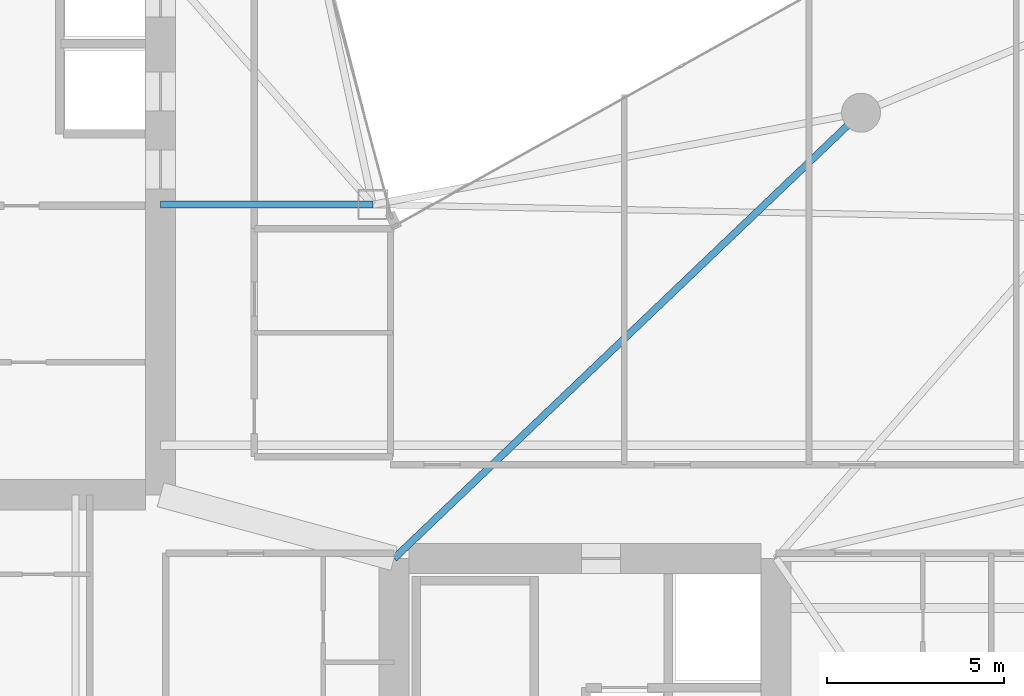
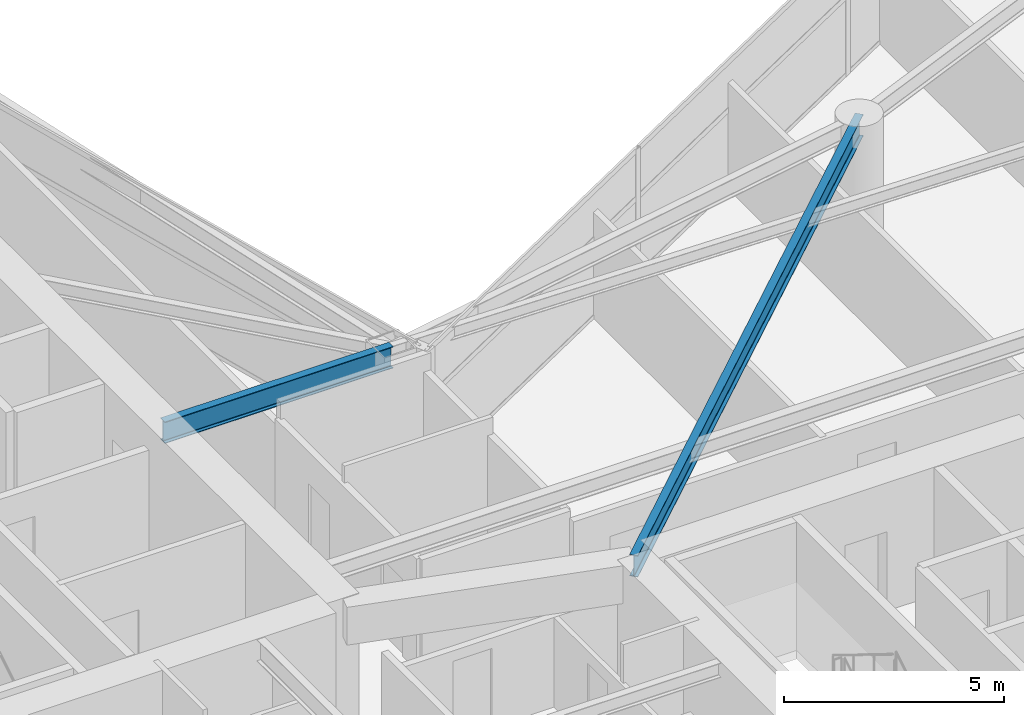
# One storey, part 9 of 29: 2 beams.
"""IFC4 building model written with IfcOpenShell, lengths in metres."""

from ifc_helpers import new_model, si_unit, direction, frame, origin, origin_2d, place, context, subcontext, project, spatial, i_section, extrude, material, material_profile, profile_set, type_object, element, save


model = new_model("IFC4")

# Units and contexts
model_context = context("Model", 3, precision=1e-05, world=origin(), true_north=direction((0.0, 1.0)))
body_context = subcontext(model_context, "Body", "Model", "MODEL_VIEW")
ifc_project = project(units=[si_unit("LENGTHUNIT", "METRE"), si_unit("AREAUNIT", "SQUARE_METRE"), si_unit("VOLUMEUNIT", "CUBIC_METRE"), si_unit("PLANEANGLEUNIT", "RADIAN"), si_unit("MASSUNIT", "GRAM", prefix="KILO")], contexts=[model_context])

# Site, building, storey
site_placement = place(None, origin())
site = spatial("IfcSite", under=ifc_project, at=site_placement, CompositionType="ELEMENT")
building_placement = place(site_placement, origin())
building = spatial("IfcBuilding", under=site, at=building_placement, Name="Calvorn Quay Hotel", CompositionType="ELEMENT")
storey_placement = place(building_placement, frame((0.0, 0.0, 175.10009765625)))
storey = spatial("IfcBuildingStorey", under=building, at=storey_placement, Name="L43", CompositionType="ELEMENT", Elevation=175.10009765625)

# Beams
ifc_material = material(Name="Steel Q355B", Category="steel")
ifc_material_profile = material_profile(ifc_material, i_section(OverallWidth=0.199951171875, OverallDepth=0.60009765625, WebThickness=0.010986328125, FlangeThickness=0.01708984375, FilletRadius=0.01806640625, at=origin_2d()), Name="HN600x200x11x17")
ifc_profile_set = profile_set([ifc_material_profile], Name="Steel Q355B")
beam_type = type_object("IfcBeamType", Name="BM-GIRD-TYP", PredefinedType="BEAM", material=ifc_profile_set)
beam_1_placement = place(storey_placement, frame((21.0, 25.0, 3.239990234375), z_axis=(-1.0, 0.0, 0.0), x_axis=(0.0, -1.0, 0.0)))
element("IfcBeam", 1, at=beam_1_placement, inside=storey, type_object=beam_type, Name="Beam BG-L43-W7", PredefinedType="BEAM", context=body_context, shape_type="SweptSolid", body=[
    extrude(i_section(OverallWidth=0.199951171875, OverallDepth=0.60009765625, WebThickness=0.010986328125, FlangeThickness=0.01708984375, FilletRadius=0.01806640625, at=origin_2d()), origin(), (0.0, 0.0, 1.0), 6.0),
])
beam_2_placement = place(storey_placement, frame((21.60009765625, 15.0, 3.239990234375), z_axis=(0.723351595578, 0.690479883252, 0.0), x_axis=(-0.690479883252, 0.723351595578, 0.0)))
element("IfcBeam", 2, at=beam_2_placement, inside=storey, type_object=beam_type, Name="Beam BG-L43-E4", PredefinedType="BEAM", context=body_context, shape_type="SweptSolid", body=[
    extrude(i_section(OverallWidth=0.199951171875, OverallDepth=0.60009765625, WebThickness=0.010986328125, FlangeThickness=0.01708984375, FilletRadius=0.01806640625, at=origin_2d()), origin(), (0.0, 0.0, 1.0), 18.248291015625),
])

save(model, "model.ifc")
